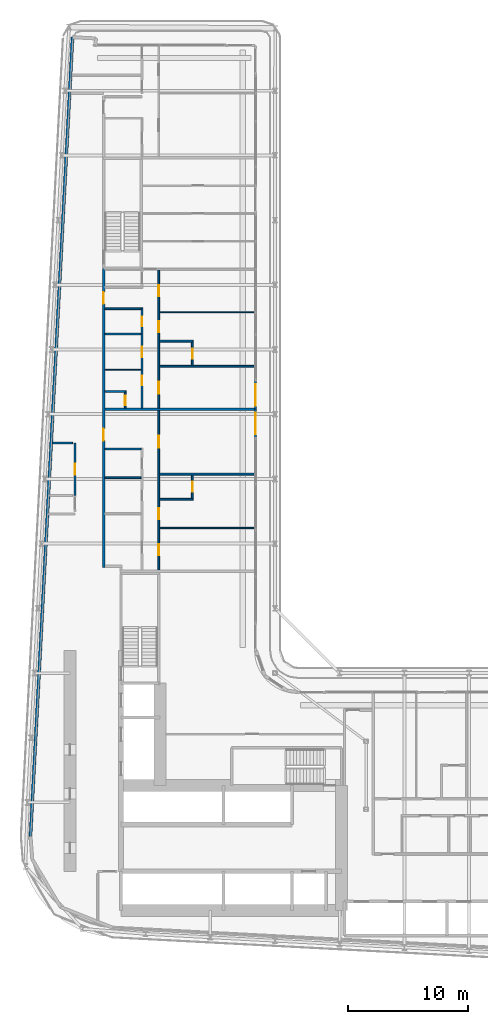
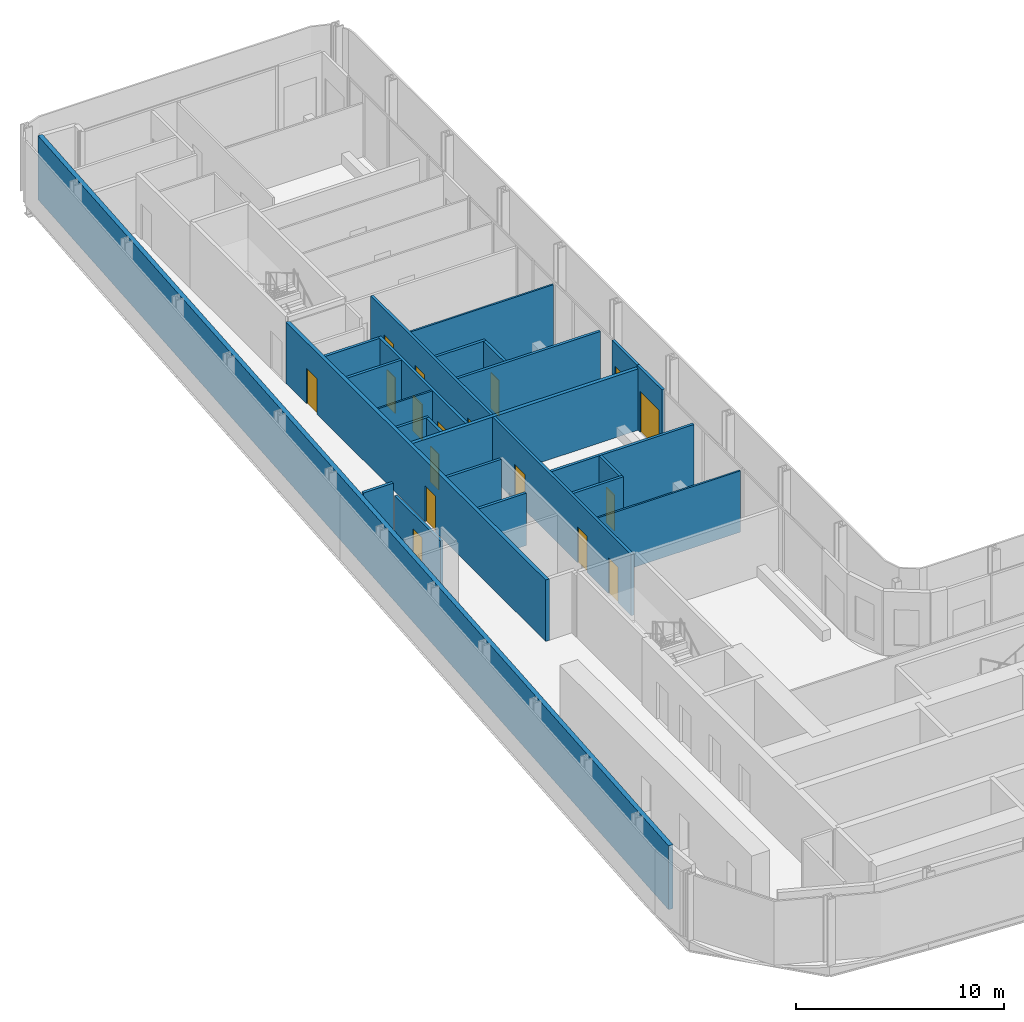
# One storey, part 16 of 27: 25 walls, 17 doors, 17 openings.
"""IFC4 building model written with IfcOpenShell, lengths in metres."""

from ifc_helpers import new_model, si_unit, direction, frame, frame_2d, origin, place, context, subcontext, project, spatial, rectangle, extrude, source, transform, mapped, material, layer, layer_set, type_object, element, fill, save


model = new_model("IFC4")

# Units and contexts
model_context = context("Model", 3, precision=1e-05, world=origin(), true_north=direction((0.0, 1.0)))
body_context = subcontext(model_context, "Body", "Model", "MODEL_VIEW")
ifc_project = project(units=[si_unit("LENGTHUNIT", "METRE"), si_unit("AREAUNIT", "SQUARE_METRE"), si_unit("VOLUMEUNIT", "CUBIC_METRE"), si_unit("PLANEANGLEUNIT", "RADIAN"), si_unit("MASSUNIT", "GRAM", prefix="KILO")], contexts=[model_context])

# Site, building, storey
site_placement = place(None, origin())
site = spatial("IfcSite", under=ifc_project, at=site_placement, CompositionType="ELEMENT")
building_placement = place(site_placement, origin())
building = spatial("IfcBuilding", under=site, at=building_placement, Name="Kheshtan School and Residences Tower", CompositionType="ELEMENT")
storey_placement = place(building_placement, frame((0.0, 0.0, 57.800048828125)))
storey = spatial("IfcBuildingStorey", under=building, at=storey_placement, Name="L13", CompositionType="ELEMENT", Elevation=57.800048828125)

# Wall, openings, doors
ifc_material_1 = material(Name="Gypsum board on steel studs with fire boards", Category="steel")
ifc_layer_1 = layer(ifc_material_1, 0.199951171875)
ifc_layer_set_1 = layer_set([ifc_layer_1], Name="Corridor wall 200")
wall_type_1 = type_object("IfcWallType", Name="Corridor wall 200", PredefinedType="PARTITIONING", material=ifc_layer_set_1)
wall_1_placement = place(storey_placement, frame((33.300048828125, 54.39990234375, 0.0), z_axis=(0.0, 0.0, 1.0), x_axis=(0.0, 1.0, 0.0)))
wall_1 = element("IfcWall", 1, at=wall_1_placement, inside=storey, type_object=wall_type_1, Name="Partition L13-003", PredefinedType="PARTITIONING", context=body_context, shape_type="SweptSolid", body=[
    extrude(rectangle(XDim=24.97509765625, YDim=0.199951171875, at=frame_2d((12.487548828125, 0.0))), origin(), (0.0, 0.0, 1.0), 3.599853515625),
])
opening_1_placement = place(wall_1_placement, frame((10.60009765625, 0.0, 0.0)))
opening_1 = element("IfcOpeningElement", 2, at=opening_1_placement, cuts=wall_1, Name="Opening D12-033", PredefinedType="OPENING", context=body_context, shape_type="SweptSolid", body=[
    extrude(rectangle(XDim=1.0, YDim=2.10009765625, at=frame_2d((0.5, 1.050048828125))), frame((0.0, 0.10986328125, 0.0), z_axis=(0.0, -1.0, 0.0), x_axis=(1.0, 0.0, 0.0)), (0.0, 0.0, 1.0), 0.219970703125),
])
opening_2_placement = place(wall_1_placement, frame((22.0, 0.0, 0.0)))
opening_2 = element("IfcOpeningElement", 3, at=opening_2_placement, cuts=wall_1, Name="Opening D12-041", PredefinedType="OPENING", context=body_context, shape_type="SweptSolid", body=[
    extrude(rectangle(XDim=1.0, YDim=2.10009765625, at=frame_2d((0.5, 1.050048828125))), frame((0.0, 0.10986328125, 0.0), z_axis=(0.0, -1.0, 0.0), x_axis=(1.0, 0.0, 0.0)), (0.0, 0.0, 1.0), 0.219970703125),
])
ifc_material_2 = material(Name="Steel-framed fire-resisting door leaf", Category="steel")
door_type_1 = type_object("IfcDoorType", Name="Fire door FD30S 1000 x 2100", OperationType="SINGLE_SWING_LEFT", PredefinedType="DOOR", material=ifc_material_2)
shared_shape_1 = source(origin(), body_context, "Body", "SweptSolid", [
    extrude(rectangle(XDim=1.0, YDim=2.10009765625, at=frame_2d((0.5, 1.050048828125))), frame((0.0, 0.02490234375, 0.0), z_axis=(0.0, -1.0, 0.0), x_axis=(1.0, 0.0, 0.0)), (0.0, 0.0, 1.0), 0.050048828125),
])
door_1_placement = place(opening_1_placement, origin())
door_1 = element("IfcDoor", 4, at=door_1_placement, inside=storey, type_object=door_type_1, Name="Door D12-033", OperationType="SINGLE_SWING_RIGHT", OverallHeight=2.10009765625, OverallWidth=1.0, PredefinedType="DOOR", context=body_context, shape_type="MappedRepresentation", body=[
    mapped(shared_shape_1, transform((0.0, 0.0, 0.0), x_axis=(1.0, 0.0, 0.0), y_axis=(0.0, 1.0, 0.0), z_axis=(0.0, 0.0, 1.0), scale=1.0)),
])
fill(opening_1, door_1)
door_2_placement = place(opening_2_placement, origin())
door_2 = element("IfcDoor", 5, at=door_2_placement, inside=storey, type_object=door_type_1, Name="Door D12-041", OperationType="SINGLE_SWING_LEFT", OverallHeight=2.10009765625, OverallWidth=1.0, PredefinedType="DOOR", context=body_context, shape_type="MappedRepresentation", body=[
    mapped(shared_shape_1, transform((0.0, 0.0, 0.0), x_axis=(1.0, 0.0, 0.0), y_axis=(0.0, 1.0, 0.0), z_axis=(0.0, 0.0, 1.0), scale=1.0)),
])
fill(opening_2, door_2)

# Wall
ifc_material_3 = material(Name="Concrete C40/50 with ceramic cladding and mineral wool insulation", Category="concrete")
ifc_layer_2 = layer(ifc_material_3, 0.25)
ifc_layer_set_2 = layer_set([ifc_layer_2], Name="External wall 250 ceramic clad")
wall_type_2 = type_object("IfcWallType", Name="External wall 250 ceramic clad", PredefinedType="SOLIDWALL", material=ifc_layer_set_2)
wall_2_placement = place(storey_placement, frame((27.195068359375, 31.968994140625, 0.0), z_axis=(0.0, 0.0, 1.0), x_axis=(0.052554995867, 0.998618031286, 0.0)))
element("IfcWall", 6, at=wall_2_placement, inside=storey, type_object=wall_type_2, Name="External wall L13 4", PredefinedType="SOLIDWALL", context=body_context, shape_type="SweptSolid", body=[
    extrude(rectangle(XDim=66.787353515625, YDim=0.25, at=frame_2d((33.3935546875, 0.0))), origin(), (0.0, 0.0, 1.0), 3.75),
])

# Wall, opening, door
ifc_material_4 = material(Name="Aluminium frame wall with insulated infill", Category="aluminium")
ifc_layer_3 = layer(ifc_material_4, 0.14990234375)
ifc_layer_set_3 = layer_set([ifc_layer_3], Name="Glazing frame wall 150")
wall_type_3 = type_object("IfcWallType", Name="Glazing frame wall 150", PredefinedType="SOLIDWALL", material=ifc_layer_set_3)
wall_3_placement = place(storey_placement, frame((45.97509765625, 70.01806640625, 0.0), z_axis=(0.0, 0.0, 1.0), x_axis=(0.0, -1.0, 0.0)))
wall_3 = element("IfcWall", 7, at=wall_3_placement, inside=storey, type_object=wall_type_3, Name="Balcony door wall L13 8.3", PredefinedType="SOLIDWALL", context=body_context, shape_type="SweptSolid", body=[
    extrude(rectangle(XDim=2.400146484375, YDim=0.14990234375, at=frame_2d((1.2001953125, 0.0))), origin(), (0.0, 0.0, 1.0), 3.75),
])
opening_3_placement = place(wall_3_placement, frame((0.300048828125, 0.0, 0.0)))
opening_3 = element("IfcOpeningElement", 8, at=opening_3_placement, cuts=wall_3, Name="Opening BD", PredefinedType="OPENING", context=body_context, shape_type="SweptSolid", body=[
    extrude(rectangle(XDim=1.800048828125, YDim=2.39990234375, at=frame_2d((0.89990234375, 1.199951171875))), frame((0.0, 0.0849609375, 0.0), z_axis=(0.0, -1.0, 0.0), x_axis=(1.0, 0.0, 0.0)), (0.0, 0.0, 1.0), 0.169921875),
])
ifc_material_5 = material(Name="Clear low-e glass in thermally broken aluminium frame", Category="aluminium")
door_type_2 = type_object("IfcDoorType", Name="Balcony sliding door", OperationType="SLIDING_TO_LEFT", PredefinedType="DOOR", material=ifc_material_5)
shared_shape_2 = source(origin(), body_context, "Body", "SweptSolid", [
    extrude(rectangle(XDim=1.800048828125, YDim=2.39990234375, at=frame_2d((0.89990234375, 1.199951171875))), frame((0.0, 0.02490234375, 0.0), z_axis=(0.0, -1.0, 0.0), x_axis=(1.0, 0.0, 0.0)), (0.0, 0.0, 1.0), 0.050048828125),
])
door_3_placement = place(opening_3_placement, origin())
door_3 = element("IfcDoor", 9, at=door_3_placement, inside=storey, type_object=door_type_2, Name="Balcony door L13 8.3", OperationType="SLIDING_TO_LEFT", OverallHeight=2.39990234375, OverallWidth=1.800048828125, PredefinedType="DOOR", context=body_context, shape_type="MappedRepresentation", body=[
    mapped(shared_shape_2, transform((0.0, 0.0, 0.0), x_axis=(1.0, 0.0, 0.0), y_axis=(0.0, 1.0, 0.0), z_axis=(0.0, 0.0, 1.0), scale=1.0)),
])
fill(opening_3, door_3)

wall_4_placement = place(storey_placement, frame((45.97509765625, 67.617919921875, 0.0), z_axis=(0.0, 0.0, 1.0), x_axis=(0.0, -1.0, 0.0)))
wall_4 = element("IfcWall", 10, at=wall_4_placement, inside=storey, type_object=wall_type_3, Name="Balcony door wall L13 8.4", PredefinedType="SOLIDWALL", context=body_context, shape_type="SweptSolid", body=[
    extrude(rectangle(XDim=2.39990234375, YDim=0.14990234375, at=frame_2d((1.199951171875, 0.0))), origin(), (0.0, 0.0, 1.0), 3.75),
])
opening_4_placement = place(wall_4_placement, frame((0.300048828125, 0.0, 0.0)))
opening_4 = element("IfcOpeningElement", 11, at=opening_4_placement, cuts=wall_4, Name="Opening BD", PredefinedType="OPENING", context=body_context, shape_type="SweptSolid", body=[
    extrude(rectangle(XDim=1.800048828125, YDim=2.39990234375, at=frame_2d((0.89990234375, 1.199951171875))), frame((0.0, 0.0849609375, 0.0), z_axis=(0.0, -1.0, 0.0), x_axis=(1.0, 0.0, 0.0)), (0.0, 0.0, 1.0), 0.169921875),
])
door_4_placement = place(opening_4_placement, origin())
door_4 = element("IfcDoor", 12, at=door_4_placement, inside=storey, type_object=door_type_2, Name="Balcony door L13 8.4", OperationType="SLIDING_TO_LEFT", OverallHeight=2.39990234375, OverallWidth=1.800048828125, PredefinedType="DOOR", context=body_context, shape_type="MappedRepresentation", body=[
    mapped(shared_shape_2, transform((0.0, 0.0, 0.0), x_axis=(1.0, 0.0, 0.0), y_axis=(0.0, 1.0, 0.0), z_axis=(0.0, 0.0, 1.0), scale=1.0)),
])
fill(opening_4, door_4)

# Walls
ifc_material_6 = material(Name="Gypsum board on steel studs", Category="steel")
ifc_layer_4 = layer(ifc_material_6, 0.10009765625)
ifc_layer_set_4 = layer_set([ifc_layer_4], Name="Gypsum partition 100")
wall_type_4 = type_object("IfcWallType", Name="Gypsum partition 100", PredefinedType="PARTITIONING", material=ifc_layer_set_4)
wall_5_placement = place(storey_placement, frame((33.39990234375, 70.89990234375, 0.0), z_axis=(0.0, 0.0, 1.0), x_axis=(1.0, 0.0, 0.0)))
element("IfcWall", 13, at=wall_5_placement, inside=storey, type_object=wall_type_4, Name="Partition L13-011", PredefinedType="PARTITIONING", context=body_context, shape_type="SweptSolid", body=[
    extrude(rectangle(XDim=3.025146484375, YDim=0.10009765625, at=frame_2d((1.5126953125, 0.0))), origin(), (0.0, 0.0, 1.0), 3.599853515625),
])
for number, where, z_axis, x_axis, name in (
    (14, (37.97509765625, 57.699951171875, 0.0), (0.0, 0.0, 1.0), (1.0, 0.0, 0.0), "Partition L13-034"),
    (15, (37.97509765625, 75.699951171875, 0.0), (0.0, 0.0, 1.0), (1.0, 0.0, 0.0), "Partition L13-039"),
):
    element("IfcWall", number, at=place(storey_placement, frame(where, z_axis=z_axis, x_axis=x_axis)), inside=storey, type_object=wall_type_4, Name=name, PredefinedType="PARTITIONING", context=body_context, shape_type="SweptSolid", body=[
        extrude(rectangle(XDim=7.9248046875, YDim=0.10009765625, at=frame_2d((3.96240234375, 0.0))), origin(), (0.0, 0.0, 1.0), 3.599853515625),
    ])

# Wall, opening, door
ifc_material_7 = material(Name="Fire-board shaft wall system")
ifc_layer_5 = layer(ifc_material_7, 0.14990234375)
ifc_layer_set_5 = layer_set([ifc_layer_5], Name="Service room wall 150")
wall_type_5 = type_object("IfcWallType", Name="Service room wall 150", PredefinedType="PARTITIONING", material=ifc_layer_set_5)
wall_6_placement = place(storey_placement, frame((30.89990234375, 60.4140625, 0.0), z_axis=(0.0, 0.0, 1.0), x_axis=(0.0, 1.0, 0.0)))
wall_6 = element("IfcWall", 16, at=wall_6_placement, inside=storey, type_object=wall_type_5, Name="Service room wall", PredefinedType="PARTITIONING", context=body_context, shape_type="SweptSolid", body=[
    extrude(rectangle(XDim=4.385986328125, YDim=0.14990234375, at=frame_2d((2.19287109375, 0.0))), origin(), (0.0, 0.0, 1.0), 3.072021484375),
])
opening_5_placement = place(wall_6_placement, frame((1.742919921875, 0.0, 0.0)))
opening_5 = element("IfcOpeningElement", 17, at=opening_5_placement, cuts=wall_6, Name="Opening SR90", PredefinedType="OPENING", context=body_context, shape_type="SweptSolid", body=[
    extrude(rectangle(XDim=0.89990234375, YDim=2.199951171875, at=frame_2d((0.449951171875, 1.10009765625))), frame((0.0, 0.0849609375, 0.0), z_axis=(0.0, -1.0, 0.0), x_axis=(1.0, 0.0, 0.0)), (0.0, 0.0, 1.0), 0.169921875),
])
ifc_material_8 = material(Name="Steel door leaf, galvanised", Category="steel")
door_type_3 = type_object("IfcDoorType", Name="Service room door 900 steel 90 min", OperationType="SINGLE_SWING_LEFT", PredefinedType="DOOR", material=ifc_material_8)
shared_shape_3 = source(origin(), body_context, "Body", "SweptSolid", [
    extrude(rectangle(XDim=0.89990234375, YDim=2.199951171875, at=frame_2d((0.449951171875, 1.10009765625))), frame((0.0, 0.02490234375, 0.0), z_axis=(0.0, -1.0, 0.0), x_axis=(1.0, 0.0, 0.0)), (0.0, 0.0, 1.0), 0.050048828125),
])
door_5_placement = place(opening_5_placement, origin())
door_5 = element("IfcDoor", 18, at=door_5_placement, inside=storey, type_object=door_type_3, Name="Service room door", OperationType="SINGLE_SWING_LEFT", OverallHeight=2.199951171875, OverallWidth=0.89990234375, PredefinedType="DOOR", context=body_context, shape_type="MappedRepresentation", body=[
    mapped(shared_shape_3, transform((0.0, 0.0, 0.0), x_axis=(1.0, 0.0, 0.0), y_axis=(0.0, 1.0, 0.0), z_axis=(0.0, 0.0, 1.0), scale=1.0)),
])
fill(opening_5, door_5)

# Walls
wall_7_placement = place(storey_placement, frame((29.050048828125, 64.800048828125, 0.0), z_axis=(0.0, 0.0, 1.0), x_axis=(1.0, 0.0, 0.0)))
element("IfcWall", 19, at=wall_7_placement, inside=storey, type_object=wall_type_5, Name="Service room wall", PredefinedType="PARTITIONING", context=body_context, shape_type="SweptSolid", body=[
    extrude(rectangle(XDim=1.655029296875, YDim=0.14990234375, at=frame_2d((0.82763671875, 0.0))), origin(), (0.0, 0.0, 1.0), 3.89990234375),
])
ifc_material_9 = material(Name="Twin gypsum board on steel studs with mineral wool", Category="steel")
ifc_layer_6 = layer(ifc_material_9, 0.199951171875)
ifc_layer_set_6 = layer_set([ifc_layer_6], Name="Unit demising wall 200")
wall_type_6 = type_object("IfcWallType", Name="Unit demising wall 200", PredefinedType="PARTITIONING", material=ifc_layer_set_6)
wall_8_placement = place(storey_placement, frame((33.39990234375, 67.60009765625, 0.0), z_axis=(0.0, 0.0, 1.0), x_axis=(1.0, 0.0, 0.0)))
element("IfcWall", 20, at=wall_8_placement, inside=storey, type_object=wall_type_6, Name="Partition L13-009", PredefinedType="PARTITIONING", context=body_context, shape_type="SweptSolid", body=[
    extrude(rectangle(XDim=12.5, YDim=0.199951171875, at=frame_2d((6.25, 0.0))), origin(), (0.0, 0.0, 1.0), 3.599853515625),
])
ifc_material_10 = material(Name="Moisture-resistant gypsum board on steel studs", Category="steel")
ifc_layer_7 = layer(ifc_material_10, 0.14990234375)
ifc_layer_set_7 = layer_set([ifc_layer_7], Name="Wet-room partition 150")
wall_type_7 = type_object("IfcWallType", Name="Wet-room partition 150", PredefinedType="PARTITIONING", material=ifc_layer_set_7)
wall_9_placement = place(storey_placement, frame((33.39990234375, 61.89990234375, 0.0), z_axis=(0.0, 0.0, 1.0), x_axis=(1.0, 0.0, 0.0)))
element("IfcWall", 21, at=wall_9_placement, inside=storey, type_object=wall_type_7, Name="Partition L13-007", PredefinedType="PARTITIONING", context=body_context, shape_type="SweptSolid", body=[
    extrude(rectangle(XDim=3.025146484375, YDim=0.14990234375, at=frame_2d((1.5126953125, 0.0))), origin(), (0.0, 0.0, 1.0), 3.072021484375),
])
wall_10_placement = place(storey_placement, frame((33.39990234375, 64.300048828125, 0.0), z_axis=(0.0, 0.0, 1.0), x_axis=(1.0, 0.0, 0.0)))
element("IfcWall", 22, at=wall_10_placement, inside=storey, type_object=wall_type_7, Name="Partition L13-008", PredefinedType="PARTITIONING", context=body_context, shape_type="SweptSolid", body=[
    extrude(rectangle(XDim=3.025146484375, YDim=0.14990234375, at=frame_2d((1.5126953125, 0.0))), origin(), (0.0, 0.0, 1.0), 3.599853515625),
])
wall_11_placement = place(storey_placement, frame((33.39990234375, 69.10009765625, 0.0), z_axis=(0.0, 0.0, 1.0), x_axis=(1.0, 0.0, 0.0)))
element("IfcWall", 23, at=wall_11_placement, inside=storey, type_object=wall_type_7, Name="Partition L13-010", PredefinedType="PARTITIONING", context=body_context, shape_type="SweptSolid", body=[
    extrude(rectangle(XDim=1.775146484375, YDim=0.14990234375, at=frame_2d((0.8876953125, 0.0))), origin(), (0.0, 0.0, 1.0), 3.599853515625),
])
for number, where, z_axis, x_axis, name in (
    (24, (33.39990234375, 73.89990234375, 0.0), (0.0, 0.0, 1.0), (1.0, 0.0, 0.0), "Partition L13-012"),
    (25, (33.39990234375, 76.0, 0.0), (0.0, 0.0, 1.0), (1.0, 0.0, 0.0), "Partition L13-013"),
):
    element("IfcWall", number, at=place(storey_placement, frame(where, z_axis=z_axis, x_axis=x_axis)), inside=storey, type_object=wall_type_7, Name=name, PredefinedType="PARTITIONING", context=body_context, shape_type="SweptSolid", body=[
        extrude(rectangle(XDim=3.025146484375, YDim=0.14990234375, at=frame_2d((1.5126953125, 0.0))), origin(), (0.0, 0.0, 1.0), 3.599853515625),
    ])

# Wall, opening, door
wall_12_placement = place(storey_placement, frame((35.10009765625, 67.699951171875, 0.0), z_axis=(0.0, 0.0, 1.0), x_axis=(0.0, 1.0, 0.0)))
wall_12 = element("IfcWall", 26, at=wall_12_placement, inside=storey, type_object=wall_type_7, Name="Partition L13-020", PredefinedType="PARTITIONING", context=body_context, shape_type="SweptSolid", body=[
    extrude(rectangle(XDim=1.324951171875, YDim=0.14990234375, at=frame_2d((0.66259765625, 0.0))), origin(), (0.0, 0.0, 1.0), 3.599853515625),
])
opening_6_placement = place(wall_12_placement, frame((0.25, 0.0, 0.0)))
opening_6 = element("IfcOpeningElement", 27, at=opening_6_placement, cuts=wall_12, Name="Opening D12-045", PredefinedType="OPENING", context=body_context, shape_type="SweptSolid", body=[
    extrude(rectangle(XDim=0.800048828125, YDim=2.10009765625, at=frame_2d((0.39990234375, 1.050048828125))), frame((0.0, 0.0849609375, 0.0), z_axis=(0.0, -1.0, 0.0), x_axis=(1.0, 0.0, 0.0)), (0.0, 0.0, 1.0), 0.169921875),
])
ifc_material_11 = material(Name="Veneered timber door leaf", Category="wood")
door_type_4 = type_object("IfcDoorType", Name="Door 800 x 2100", OperationType="SINGLE_SWING_LEFT", PredefinedType="DOOR", material=ifc_material_11)
shared_shape_4 = source(origin(), body_context, "Body", "SweptSolid", [
    extrude(rectangle(XDim=0.800048828125, YDim=2.10009765625, at=frame_2d((0.39990234375, 1.050048828125))), frame((0.0, 0.02490234375, 0.0), z_axis=(0.0, -1.0, 0.0), x_axis=(1.0, 0.0, 0.0)), (0.0, 0.0, 1.0), 0.050048828125),
])
door_6_placement = place(opening_6_placement, origin())
door_6 = element("IfcDoor", 28, at=door_6_placement, inside=storey, type_object=door_type_4, Name="Door D12-045", OperationType="SINGLE_SWING_RIGHT", OverallHeight=2.10009765625, OverallWidth=0.800048828125, PredefinedType="DOOR", context=body_context, shape_type="MappedRepresentation", body=[
    mapped(shared_shape_4, transform((0.0, 0.0, 0.0), x_axis=(1.0, 0.0, 0.0), y_axis=(0.0, 1.0, 0.0), z_axis=(0.0, 0.0, 1.0), scale=1.0)),
])
fill(opening_6, door_6)

# Wall, openings, doors
wall_13_placement = place(storey_placement, frame((36.5, 67.699951171875, 0.0), z_axis=(0.0, 0.0, 1.0), x_axis=(0.0, 1.0, 0.0)))
wall_13 = element("IfcWall", 29, at=wall_13_placement, inside=storey, type_object=wall_type_7, Name="Partition L13-023", PredefinedType="PARTITIONING", context=body_context, shape_type="SweptSolid", body=[
    extrude(rectangle(XDim=8.375, YDim=0.14990234375, at=frame_2d((4.1875, 0.0))), origin(), (0.0, 0.0, 1.0), 3.599853515625),
])
opening_7_placement = place(wall_13_placement, frame((6.85009765625, 0.0, 0.0)))
opening_7 = element("IfcOpeningElement", 30, at=opening_7_placement, cuts=wall_13, Name="Opening D12-038", PredefinedType="OPENING", context=body_context, shape_type="SweptSolid", body=[
    extrude(rectangle(XDim=0.800048828125, YDim=2.10009765625, at=frame_2d((0.39990234375, 1.050048828125))), frame((0.0, 0.0849609375, 0.0), z_axis=(0.0, -1.0, 0.0), x_axis=(1.0, 0.0, 0.0)), (0.0, 0.0, 1.0), 0.169921875),
])
opening_8_placement = place(wall_13_placement, frame((4.25, 0.0, 0.0)))
opening_8 = element("IfcOpeningElement", 31, at=opening_8_placement, cuts=wall_13, Name="Opening D12-042", PredefinedType="OPENING", context=body_context, shape_type="SweptSolid", body=[
    extrude(rectangle(XDim=0.89990234375, YDim=2.10009765625, at=frame_2d((0.449951171875, 1.050048828125))), frame((0.0, 0.0849609375, 0.0), z_axis=(0.0, -1.0, 0.0), x_axis=(1.0, 0.0, 0.0)), (0.0, 0.0, 1.0), 0.169921875),
])
opening_9_placement = place(wall_13_placement, frame((1.89990234375, 0.0, 0.0)))
opening_9 = element("IfcOpeningElement", 32, at=opening_9_placement, cuts=wall_13, Name="Opening D12-044", PredefinedType="OPENING", context=body_context, shape_type="SweptSolid", body=[
    extrude(rectangle(XDim=0.800048828125, YDim=2.10009765625, at=frame_2d((0.39990234375, 1.050048828125))), frame((0.0, 0.0849609375, 0.0), z_axis=(0.0, -1.0, 0.0), x_axis=(1.0, 0.0, 0.0)), (0.0, 0.0, 1.0), 0.169921875),
])
door_7_placement = place(opening_7_placement, origin())
door_7 = element("IfcDoor", 33, at=door_7_placement, inside=storey, type_object=door_type_4, Name="Door D12-038", OperationType="SINGLE_SWING_RIGHT", OverallHeight=2.10009765625, OverallWidth=0.800048828125, PredefinedType="DOOR", context=body_context, shape_type="MappedRepresentation", body=[
    mapped(shared_shape_4, transform((0.0, 0.0, 0.0), x_axis=(1.0, 0.0, 0.0), y_axis=(0.0, 1.0, 0.0), z_axis=(0.0, 0.0, 1.0), scale=1.0)),
])
fill(opening_7, door_7)
door_8_placement = place(opening_9_placement, origin())
door_8 = element("IfcDoor", 34, at=door_8_placement, inside=storey, type_object=door_type_4, Name="Door D12-044", OperationType="SINGLE_SWING_RIGHT", OverallHeight=2.10009765625, OverallWidth=0.800048828125, PredefinedType="DOOR", context=body_context, shape_type="MappedRepresentation", body=[
    mapped(shared_shape_4, transform((0.0, 0.0, 0.0), x_axis=(1.0, 0.0, 0.0), y_axis=(0.0, 1.0, 0.0), z_axis=(0.0, 0.0, 1.0), scale=1.0)),
])
fill(opening_9, door_8)
door_type_5 = type_object("IfcDoorType", Name="Door 900 x 2100", OperationType="SINGLE_SWING_LEFT", PredefinedType="DOOR", material=ifc_material_11)
shared_shape_5 = source(origin(), body_context, "Body", "SweptSolid", [
    extrude(rectangle(XDim=0.89990234375, YDim=2.10009765625, at=frame_2d((0.449951171875, 1.050048828125))), frame((0.0, 0.02490234375, 0.0), z_axis=(0.0, -1.0, 0.0), x_axis=(1.0, 0.0, 0.0)), (0.0, 0.0, 1.0), 0.050048828125),
])
door_9_placement = place(opening_8_placement, origin())
door_9 = element("IfcDoor", 35, at=door_9_placement, inside=storey, type_object=door_type_5, Name="Door D12-042", OperationType="SINGLE_SWING_RIGHT", OverallHeight=2.10009765625, OverallWidth=0.89990234375, PredefinedType="DOOR", context=body_context, shape_type="MappedRepresentation", body=[
    mapped(shared_shape_5, transform((0.0, 0.0, 0.0), x_axis=(1.0, 0.0, 0.0), y_axis=(0.0, 1.0, 0.0), z_axis=(0.0, 0.0, 1.0), scale=1.0)),
])
fill(opening_8, door_9)

wall_14_placement = place(storey_placement, frame((37.89990234375, 54.199951171875, 0.0), z_axis=(0.0, 0.0, 1.0), x_axis=(0.0, 1.0, 0.0)))
wall_14 = element("IfcWall", 36, at=wall_14_placement, inside=storey, type_object=wall_type_7, Name="Partition L13-030", PredefinedType="PARTITIONING", context=body_context, shape_type="SweptSolid", body=[
    extrude(rectangle(XDim=13.300048828125, YDim=0.14990234375, at=frame_2d((6.64990234375, 0.0))), origin(), (0.0, 0.0, 1.0), 3.599853515625),
])
opening_10_placement = place(wall_14_placement, frame((1.25, 0.0, 0.0)))
opening_10 = element("IfcOpeningElement", 37, at=opening_10_placement, cuts=wall_14, Name="Opening D12-031", PredefinedType="OPENING", context=body_context, shape_type="SweptSolid", body=[
    extrude(rectangle(XDim=0.89990234375, YDim=2.10009765625, at=frame_2d((0.449951171875, 1.050048828125))), frame((0.0, 0.0849609375, 0.0), z_axis=(0.0, -1.0, 0.0), x_axis=(1.0, 0.0, 0.0)), (0.0, 0.0, 1.0), 0.169921875),
])
opening_11_placement = place(wall_14_placement, frame((10.199951171875, 0.0, 0.0)))
opening_11 = element("IfcOpeningElement", 38, at=opening_11_placement, cuts=wall_14, Name="Opening D12-035", PredefinedType="OPENING", context=body_context, shape_type="SweptSolid", body=[
    extrude(rectangle(XDim=1.0, YDim=2.10009765625, at=frame_2d((0.5, 1.050048828125))), frame((0.0, 0.0849609375, 0.0), z_axis=(0.0, -1.0, 0.0), x_axis=(1.0, 0.0, 0.0)), (0.0, 0.0, 1.0), 0.169921875),
])
opening_12_placement = place(wall_14_placement, frame((4.25, 0.0, 0.0)))
opening_12 = element("IfcOpeningElement", 39, at=opening_12_placement, cuts=wall_14, Name="Opening D12-036", PredefinedType="OPENING", context=body_context, shape_type="SweptSolid", body=[
    extrude(rectangle(XDim=0.89990234375, YDim=2.10009765625, at=frame_2d((0.449951171875, 1.050048828125))), frame((0.0, 0.0849609375, 0.0), z_axis=(0.0, -1.0, 0.0), x_axis=(1.0, 0.0, 0.0)), (0.0, 0.0, 1.0), 0.169921875),
])
door_type_6 = type_object("IfcDoorType", Name="Door 1000 x 2100", OperationType="SINGLE_SWING_LEFT", PredefinedType="DOOR", material=ifc_material_11)
shared_shape_6 = source(origin(), body_context, "Body", "SweptSolid", [
    extrude(rectangle(XDim=1.0, YDim=2.10009765625, at=frame_2d((0.5, 1.050048828125))), frame((0.0, 0.02490234375, 0.0), z_axis=(0.0, -1.0, 0.0), x_axis=(1.0, 0.0, 0.0)), (0.0, 0.0, 1.0), 0.050048828125),
])
door_10_placement = place(opening_11_placement, origin())
door_10 = element("IfcDoor", 40, at=door_10_placement, inside=storey, type_object=door_type_6, Name="Door D12-035", OperationType="SINGLE_SWING_RIGHT", OverallHeight=2.10009765625, OverallWidth=1.0, PredefinedType="DOOR", context=body_context, shape_type="MappedRepresentation", body=[
    mapped(shared_shape_6, transform((0.0, 0.0, 0.0), x_axis=(1.0, 0.0, 0.0), y_axis=(0.0, 1.0, 0.0), z_axis=(0.0, 0.0, 1.0), scale=1.0)),
])
fill(opening_11, door_10)
door_11_placement = place(opening_10_placement, origin())
door_11 = element("IfcDoor", 41, at=door_11_placement, inside=storey, type_object=door_type_5, Name="Door D12-031", OperationType="SINGLE_SWING_RIGHT", OverallHeight=2.10009765625, OverallWidth=0.89990234375, PredefinedType="DOOR", context=body_context, shape_type="MappedRepresentation", body=[
    mapped(shared_shape_5, transform((0.0, 0.0, 0.0), x_axis=(1.0, 0.0, 0.0), y_axis=(0.0, 1.0, 0.0), z_axis=(0.0, 0.0, 1.0), scale=1.0)),
])
fill(opening_10, door_11)
door_12_placement = place(opening_12_placement, origin())
door_12 = element("IfcDoor", 42, at=door_12_placement, inside=storey, type_object=door_type_5, Name="Door D12-036", OperationType="SINGLE_SWING_RIGHT", OverallHeight=2.10009765625, OverallWidth=0.89990234375, PredefinedType="DOOR", context=body_context, shape_type="MappedRepresentation", body=[
    mapped(shared_shape_5, transform((0.0, 0.0, 0.0), x_axis=(1.0, 0.0, 0.0), y_axis=(0.0, 1.0, 0.0), z_axis=(0.0, 0.0, 1.0), scale=1.0)),
])
fill(opening_12, door_12)

wall_15_placement = place(storey_placement, frame((37.89990234375, 67.699951171875, 0.0), z_axis=(0.0, 0.0, 1.0), x_axis=(0.0, 1.0, 0.0)))
wall_15 = element("IfcWall", 43, at=wall_15_placement, inside=storey, type_object=wall_type_7, Name="Partition L13-031", PredefinedType="PARTITIONING", context=body_context, shape_type="SweptSolid", body=[
    extrude(rectangle(XDim=11.525146484375, YDim=0.14990234375, at=frame_2d((5.7626953125, 0.0))), origin(), (0.0, 0.0, 1.0), 3.599853515625),
])
opening_13_placement = place(wall_15_placement, frame((9.35009765625, 0.0, 0.0)))
opening_13 = element("IfcOpeningElement", 44, at=opening_13_placement, cuts=wall_15, Name="Opening D12-039", PredefinedType="OPENING", context=body_context, shape_type="SweptSolid", body=[
    extrude(rectangle(XDim=0.89990234375, YDim=2.10009765625, at=frame_2d((0.449951171875, 1.050048828125))), frame((0.0, 0.0849609375, 0.0), z_axis=(0.0, -1.0, 0.0), x_axis=(1.0, 0.0, 0.0)), (0.0, 0.0, 1.0), 0.169921875),
])
opening_14_placement = place(wall_15_placement, frame((1.199951171875, 0.0, 0.0)))
opening_14 = element("IfcOpeningElement", 45, at=opening_14_placement, cuts=wall_15, Name="Opening D12-043", PredefinedType="OPENING", context=body_context, shape_type="SweptSolid", body=[
    extrude(rectangle(XDim=1.0, YDim=2.10009765625, at=frame_2d((0.5, 1.050048828125))), frame((0.0, 0.0849609375, 0.0), z_axis=(0.0, -1.0, 0.0), x_axis=(1.0, 0.0, 0.0)), (0.0, 0.0, 1.0), 0.169921875),
])
opening_15_placement = place(wall_15_placement, frame((6.35009765625, 0.0, 0.0)))
opening_15 = element("IfcOpeningElement", 46, at=opening_15_placement, cuts=wall_15, Name="Opening D12-046", PredefinedType="OPENING", context=body_context, shape_type="SweptSolid", body=[
    extrude(rectangle(XDim=0.89990234375, YDim=2.10009765625, at=frame_2d((0.449951171875, 1.050048828125))), frame((0.0, 0.0849609375, 0.0), z_axis=(0.0, -1.0, 0.0), x_axis=(1.0, 0.0, 0.0)), (0.0, 0.0, 1.0), 0.169921875),
])
door_13_placement = place(opening_14_placement, origin())
door_13 = element("IfcDoor", 47, at=door_13_placement, inside=storey, type_object=door_type_6, Name="Door D12-043", OperationType="SINGLE_SWING_LEFT", OverallHeight=2.10009765625, OverallWidth=1.0, PredefinedType="DOOR", context=body_context, shape_type="MappedRepresentation", body=[
    mapped(shared_shape_6, transform((0.0, 0.0, 0.0), x_axis=(1.0, 0.0, 0.0), y_axis=(0.0, 1.0, 0.0), z_axis=(0.0, 0.0, 1.0), scale=1.0)),
])
fill(opening_14, door_13)
door_14_placement = place(opening_13_placement, origin())
door_14 = element("IfcDoor", 48, at=door_14_placement, inside=storey, type_object=door_type_5, Name="Door D12-039", OperationType="SINGLE_SWING_RIGHT", OverallHeight=2.10009765625, OverallWidth=0.89990234375, PredefinedType="DOOR", context=body_context, shape_type="MappedRepresentation", body=[
    mapped(shared_shape_5, transform((0.0, 0.0, 0.0), x_axis=(1.0, 0.0, 0.0), y_axis=(0.0, 1.0, 0.0), z_axis=(0.0, 0.0, 1.0), scale=1.0)),
])
fill(opening_13, door_14)
door_15_placement = place(opening_15_placement, origin())
door_15 = element("IfcDoor", 49, at=door_15_placement, inside=storey, type_object=door_type_5, Name="Door D12-046", OperationType="SINGLE_SWING_RIGHT", OverallHeight=2.10009765625, OverallWidth=0.89990234375, PredefinedType="DOOR", context=body_context, shape_type="MappedRepresentation", body=[
    mapped(shared_shape_5, transform((0.0, 0.0, 0.0), x_axis=(1.0, 0.0, 0.0), y_axis=(0.0, 1.0, 0.0), z_axis=(0.0, 0.0, 1.0), scale=1.0)),
])
fill(opening_15, door_15)

# Walls
wall_16_placement = place(storey_placement, frame((37.97509765625, 60.10009765625, 0.0), z_axis=(0.0, 0.0, 1.0), x_axis=(1.0, 0.0, 0.0)))
element("IfcWall", 50, at=wall_16_placement, inside=storey, type_object=wall_type_7, Name="Partition L13-035", PredefinedType="PARTITIONING", context=body_context, shape_type="SweptSolid", body=[
    extrude(rectangle(XDim=2.7998046875, YDim=0.14990234375, at=frame_2d((1.39990234375, 0.0))), origin(), (0.0, 0.0, 1.0), 3.599853515625),
])
for number, where, z_axis, x_axis, name in (
    (51, (37.97509765625, 62.199951171875, 0.0), (0.0, 0.0, 1.0), (1.0, 0.0, 0.0), "Partition L13-036"),
    (52, (37.97509765625, 71.199951171875, 0.0), (0.0, 0.0, 1.0), (1.0, 0.0, 0.0), "Partition L13-037"),
):
    element("IfcWall", number, at=place(storey_placement, frame(where, z_axis=z_axis, x_axis=x_axis)), inside=storey, type_object=wall_type_7, Name=name, PredefinedType="PARTITIONING", context=body_context, shape_type="SweptSolid", body=[
        extrude(rectangle(XDim=7.9248046875, YDim=0.14990234375, at=frame_2d((3.96240234375, 0.0))), origin(), (0.0, 0.0, 1.0), 3.599853515625),
    ])
wall_17_placement = place(storey_placement, frame((37.97509765625, 73.300048828125, 0.0), z_axis=(0.0, 0.0, 1.0), x_axis=(1.0, 0.0, 0.0)))
element("IfcWall", 53, at=wall_17_placement, inside=storey, type_object=wall_type_7, Name="Partition L13-038", PredefinedType="PARTITIONING", context=body_context, shape_type="SweptSolid", body=[
    extrude(rectangle(XDim=2.7998046875, YDim=0.14990234375, at=frame_2d((1.39990234375, 0.0))), origin(), (0.0, 0.0, 1.0), 3.599853515625),
])

# Wall, opening, door
wall_18_placement = place(storey_placement, frame((40.699951171875, 60.175048828125, 0.0), z_axis=(0.0, 0.0, 1.0), x_axis=(0.0, 1.0, 0.0)))
wall_18 = element("IfcWall", 54, at=wall_18_placement, inside=storey, type_object=wall_type_7, Name="Partition L13-041", PredefinedType="PARTITIONING", context=body_context, shape_type="SweptSolid", body=[
    extrude(rectangle(XDim=1.949951171875, YDim=0.14990234375, at=frame_2d((0.97509765625, 0.0))), origin(), (0.0, 0.0, 1.0), 3.599853515625),
])
opening_16_placement = place(wall_18_placement, frame((0.574951171875, 0.0, 0.0)))
opening_16 = element("IfcOpeningElement", 55, at=opening_16_placement, cuts=wall_18, Name="Opening D12-032", PredefinedType="OPENING", context=body_context, shape_type="SweptSolid", body=[
    extrude(rectangle(XDim=0.800048828125, YDim=2.10009765625, at=frame_2d((0.39990234375, 1.050048828125))), frame((0.0, 0.0849609375, 0.0), z_axis=(0.0, -1.0, 0.0), x_axis=(1.0, 0.0, 0.0)), (0.0, 0.0, 1.0), 0.169921875),
])
door_16_placement = place(opening_16_placement, origin())
door_16 = element("IfcDoor", 56, at=door_16_placement, inside=storey, type_object=door_type_4, Name="Door D12-032", OperationType="SINGLE_SWING_RIGHT", OverallHeight=2.10009765625, OverallWidth=0.800048828125, PredefinedType="DOOR", context=body_context, shape_type="MappedRepresentation", body=[
    mapped(shared_shape_4, transform((0.0, 0.0, 0.0), x_axis=(1.0, 0.0, 0.0), y_axis=(0.0, 1.0, 0.0), z_axis=(0.0, 0.0, 1.0), scale=1.0)),
])
fill(opening_16, door_16)

wall_19_placement = place(storey_placement, frame((40.699951171875, 71.27490234375, 0.0), z_axis=(0.0, 0.0, 1.0), x_axis=(0.0, 1.0, 0.0)))
wall_19 = element("IfcWall", 57, at=wall_19_placement, inside=storey, type_object=wall_type_7, Name="Partition L13-042", PredefinedType="PARTITIONING", context=body_context, shape_type="SweptSolid", body=[
    extrude(rectangle(XDim=1.9501953125, YDim=0.14990234375, at=frame_2d((0.97509765625, 0.0))), origin(), (0.0, 0.0, 1.0), 3.599853515625),
])
opening_17_placement = place(wall_19_placement, frame((0.574951171875, 0.0, 0.0)))
opening_17 = element("IfcOpeningElement", 58, at=opening_17_placement, cuts=wall_19, Name="Opening D12-040", PredefinedType="OPENING", context=body_context, shape_type="SweptSolid", body=[
    extrude(rectangle(XDim=0.800048828125, YDim=2.10009765625, at=frame_2d((0.39990234375, 1.050048828125))), frame((0.0, 0.0849609375, 0.0), z_axis=(0.0, -1.0, 0.0), x_axis=(1.0, 0.0, 0.0)), (0.0, 0.0, 1.0), 0.169921875),
])
door_17_placement = place(opening_17_placement, origin())
door_17 = element("IfcDoor", 59, at=door_17_placement, inside=storey, type_object=door_type_4, Name="Door D12-040", OperationType="SINGLE_SWING_RIGHT", OverallHeight=2.10009765625, OverallWidth=0.800048828125, PredefinedType="DOOR", context=body_context, shape_type="MappedRepresentation", body=[
    mapped(shared_shape_4, transform((0.0, 0.0, 0.0), x_axis=(1.0, 0.0, 0.0), y_axis=(0.0, 1.0, 0.0), z_axis=(0.0, 0.0, 1.0), scale=1.0)),
])
fill(opening_17, door_17)

save(model, "model.ifc")
